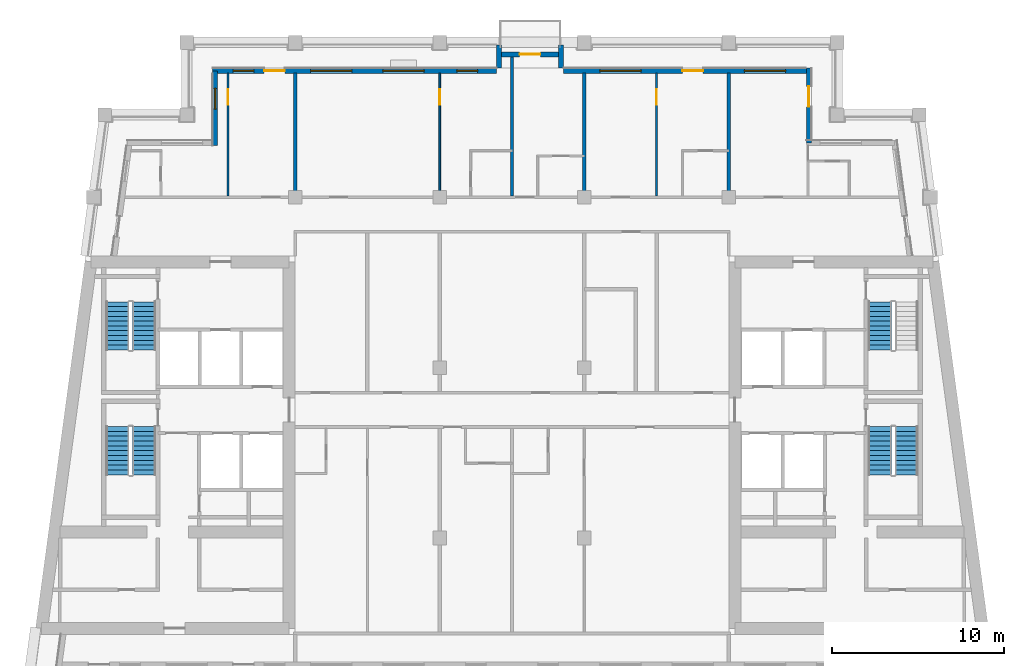
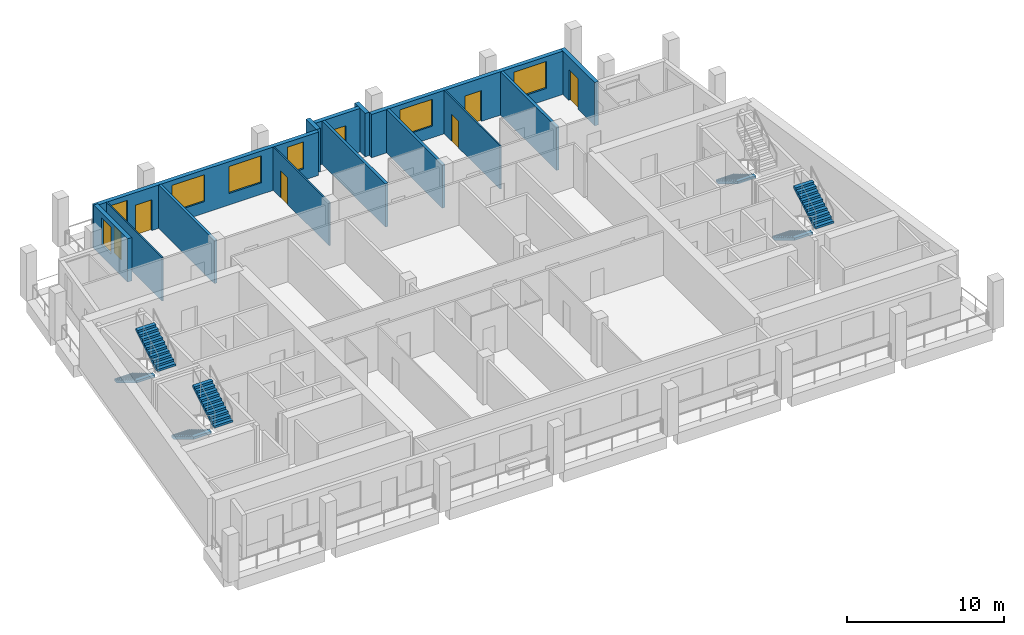
# One storey, part 6 of 13: 14 walls, 7 doors, 7 stair flights, 7 windows, 14 openings, 4 elements without a shape of their own.
"""IFC4 building model written with IfcOpenShell, lengths in metres."""

from ifc_helpers import new_model, si_unit, direction, frame, frame_2d, origin, place, context, subcontext, project, spatial, polyline, rectangle, outline, extrude, material, layer, layer_set, type_object, element, fill, aggregate, save


model = new_model("IFC4")

# Units and contexts
model_context = context("Model", 3, precision=1e-05, world=origin(), true_north=direction((0.0, 1.0)))
body_context = subcontext(model_context, "Body", "Model", "MODEL_VIEW")
ifc_project = project(units=[si_unit("LENGTHUNIT", "METRE"), si_unit("AREAUNIT", "SQUARE_METRE"), si_unit("VOLUMEUNIT", "CUBIC_METRE"), si_unit("PLANEANGLEUNIT", "RADIAN"), si_unit("MASSUNIT", "GRAM", prefix="KILO")], contexts=[model_context])

# Site, building, storey
site_placement = place(None, origin())
site = spatial("IfcSite", under=ifc_project, at=site_placement, CompositionType="ELEMENT")
building_placement = place(site_placement, origin())
building = spatial("IfcBuilding", under=site, at=building_placement, Name="Candeia Pilgrim Tower and Theatre", CompositionType="ELEMENT")
storey_placement = place(building_placement, frame((0.0, 0.0, 262.699951171875)))
storey = spatial("IfcBuildingStorey", under=building, at=storey_placement, Name="L63", CompositionType="ELEMENT", Elevation=262.699951171875)

# Wall, opening, door
ifc_material_1 = material(Name="Ceramic block masonry", Category="masonry")
ifc_layer_1 = layer(ifc_material_1, 0.300048828125)
ifc_layer_set_1 = layer_set([ifc_layer_1], Name="EW1 glazing-line wall 300")
wall_type_1 = type_object("IfcWallType", Name="EW1 glazing-line wall 300", PredefinedType="SOLIDWALL", material=ifc_layer_set_1)
wall_1_placement = place(storey_placement, frame((130.64990234375, 138.949951171875, 0.0), z_axis=(0.0, 0.0, 1.0), x_axis=(0.0, 1.0, 0.0)))
wall_1 = element("IfcWall", 1, at=wall_1_placement, inside=storey, type_object=wall_type_1, Name="External wall L63-4.0", PredefinedType="SOLIDWALL", context=body_context, shape_type="SweptSolid", body=[
    extrude(rectangle(XDim=4.35009765625, YDim=0.300048828125, at=frame_2d((2.175048828125, 0.0))), origin(), (0.0, 0.0, 1.0), 3.380126953125),
])
opening_1_placement = place(wall_1_placement, frame((2.10009765625, 0.0, 0.0)))
opening_1 = element("IfcOpeningElement", 2, at=opening_1_placement, cuts=wall_1, Name="Opening L63-ED600", PredefinedType="OPENING", context=body_context, shape_type="SweptSolid", body=[
    extrude(rectangle(XDim=1.199951171875, YDim=2.39990234375, at=frame_2d((0.60009765625, 1.199951171875))), frame((0.0, 0.16015625, 0.0), z_axis=(0.0, -1.0, 0.0), x_axis=(1.0, 0.0, 0.0)), (0.0, 0.0, 1.0), 0.320068359375),
])
ifc_material_2 = material(Name="Aluminium framed glazed door", Category="aluminium")
door_type_1 = type_object("IfcDoorType", Name="Loggia door 1200x2400", OperationType="DOUBLE_DOOR_SINGLE_SWING", PredefinedType="DOOR", material=ifc_material_2)
door_1_placement = place(opening_1_placement, origin())
door_1 = element("IfcDoor", 3, at=door_1_placement, inside=storey, type_object=door_type_1, Name="Loggia door L63-ED600", OperationType="DOUBLE_DOOR_SINGLE_SWING", OverallHeight=2.39990234375, OverallWidth=1.199951171875, PredefinedType="DOOR", context=body_context, shape_type="SweptSolid", body=[
    extrude(rectangle(XDim=1.199951171875, YDim=2.39990234375, at=frame_2d((0.60009765625, 1.199951171875))), frame((0.0, 0.02490234375, 0.0), z_axis=(0.0, -1.0, 0.0), x_axis=(1.0, 0.0, 0.0)), (0.0, 0.0, 1.0), 0.050048828125),
])
fill(opening_1, door_1)

# Wall, openings, door, windows
wall_2_placement = place(storey_placement, frame((130.64990234375, 143.14990234375, 0.0), z_axis=(0.0, 0.0, 1.0), x_axis=(-1.0, 0.0, 0.0)))
wall_2 = element("IfcWall", 4, at=wall_2_placement, inside=storey, type_object=wall_type_1, Name="External wall L63-5.0", PredefinedType="SOLIDWALL", context=body_context, shape_type="SweptSolid", body=[
    extrude(rectangle(XDim=14.25, YDim=0.300048828125, at=frame_2d((7.125, 0.0))), origin(), (0.0, 0.0, 1.0), 3.380126953125),
])
opening_2_placement = place(wall_2_placement, frame((1.35009765625, 0.0, 0.89990234375)))
opening_2 = element("IfcOpeningElement", 5, at=opening_2_placement, cuts=wall_2, Name="Opening W-A", PredefinedType="OPENING", context=body_context, shape_type="SweptSolid", body=[
    extrude(rectangle(XDim=2.39990234375, YDim=2.10009765625, at=frame_2d((1.199951171875, 1.050048828125))), frame((0.0, 0.16015625, 0.0), z_axis=(0.0, -1.0, 0.0), x_axis=(1.0, 0.0, 0.0)), (0.0, 0.0, 1.0), 0.320068359375),
])
opening_3_placement = place(wall_2_placement, frame((6.14990234375, 0.0, 0.0)))
opening_3 = element("IfcOpeningElement", 6, at=opening_3_placement, cuts=wall_2, Name="Opening L63-ED601", PredefinedType="OPENING", context=body_context, shape_type="SweptSolid", body=[
    extrude(rectangle(XDim=1.199951171875, YDim=2.39990234375, at=frame_2d((0.60009765625, 1.199951171875))), frame((0.0, 0.16015625, 0.0), z_axis=(0.0, -1.0, 0.0), x_axis=(1.0, 0.0, 0.0)), (0.0, 0.0, 1.0), 0.320068359375),
])
opening_4_placement = place(wall_2_placement, frame((9.75, 0.0, 0.89990234375)))
opening_4 = element("IfcOpeningElement", 7, at=opening_4_placement, cuts=wall_2, Name="Opening W-A", PredefinedType="OPENING", context=body_context, shape_type="SweptSolid", body=[
    extrude(rectangle(XDim=2.39990234375, YDim=2.10009765625, at=frame_2d((1.199951171875, 1.050048828125))), frame((0.0, 0.16015625, 0.0), z_axis=(0.0, -1.0, 0.0), x_axis=(1.0, 0.0, 0.0)), (0.0, 0.0, 1.0), 0.320068359375),
])
door_2_placement = place(opening_3_placement, origin())
door_2 = element("IfcDoor", 8, at=door_2_placement, inside=storey, type_object=door_type_1, Name="Loggia door L63-ED601", OperationType="DOUBLE_DOOR_SINGLE_SWING", OverallHeight=2.39990234375, OverallWidth=1.199951171875, PredefinedType="DOOR", context=body_context, shape_type="SweptSolid", body=[
    extrude(rectangle(XDim=1.199951171875, YDim=2.39990234375, at=frame_2d((0.60009765625, 1.199951171875))), frame((0.0, 0.02490234375, 0.0), z_axis=(0.0, -1.0, 0.0), x_axis=(1.0, 0.0, 0.0)), (0.0, 0.0, 1.0), 0.050048828125),
])
fill(opening_3, door_2)
ifc_material_3 = material(Name="Aluminium framed double glazing", Category="aluminium")
window_type_1 = type_object("IfcWindowType", Name="W-A window 2400x2100", PartitioningType="DOUBLE_PANEL_VERTICAL", PredefinedType="WINDOW", material=ifc_material_3)
window_1_placement = place(opening_2_placement, origin())
window_1 = element("IfcWindow", 9, at=window_1_placement, inside=storey, type_object=window_type_1, Name="Window W-A L63", OverallHeight=2.10009765625, OverallWidth=2.39990234375, PartitioningType="SINGLE_PANEL", PredefinedType="WINDOW", context=body_context, shape_type="SweptSolid", body=[
    extrude(rectangle(XDim=2.39990234375, YDim=2.10009765625, at=frame_2d((1.199951171875, 1.050048828125))), frame((0.0, 0.030029296875, 0.0), z_axis=(0.0, -1.0, 0.0), x_axis=(1.0, 0.0, 0.0)), (0.0, 0.0, 1.0), 0.06005859375),
])
fill(opening_2, window_1)
window_2_placement = place(opening_4_placement, origin())
window_2 = element("IfcWindow", 10, at=window_2_placement, inside=storey, type_object=window_type_1, Name="Window W-A L63", OverallHeight=2.10009765625, OverallWidth=2.39990234375, PartitioningType="SINGLE_PANEL", PredefinedType="WINDOW", context=body_context, shape_type="SweptSolid", body=[
    extrude(rectangle(XDim=2.39990234375, YDim=2.10009765625, at=frame_2d((1.199951171875, 1.050048828125))), frame((0.0, 0.030029296875, 0.0), z_axis=(0.0, -1.0, 0.0), x_axis=(1.0, 0.0, 0.0)), (0.0, 0.0, 1.0), 0.06005859375),
])
fill(opening_4, window_2)

wall_3_placement = place(storey_placement, frame((112.5, 143.14990234375, 0.0), z_axis=(0.0, 0.0, 1.0), x_axis=(-1.0, 0.0, 0.0)))
wall_3 = element("IfcWall", 11, at=wall_3_placement, inside=storey, type_object=wall_type_1, Name="External wall L63-5.1", PredefinedType="SOLIDWALL", context=body_context, shape_type="SweptSolid", body=[
    extrude(rectangle(XDim=16.5, YDim=0.300048828125, at=frame_2d((8.25, 0.0))), origin(), (0.0, 0.0, 1.0), 3.380126953125),
])
opening_5_placement = place(wall_3_placement, frame((1.10009765625, 0.0, 0.89990234375)))
opening_5 = element("IfcOpeningElement", 12, at=opening_5_placement, cuts=wall_3, Name="Opening W-B", PredefinedType="OPENING", context=body_context, shape_type="SweptSolid", body=[
    extrude(rectangle(XDim=1.199951171875, YDim=2.10009765625, at=frame_2d((0.60009765625, 1.050048828125))), frame((0.0, 0.16015625, 0.0), z_axis=(0.0, -1.0, 0.0), x_axis=(1.0, 0.0, 0.0)), (0.0, 0.0, 1.0), 0.320068359375),
])
opening_6_placement = place(wall_3_placement, frame((4.199951171875, 0.0, 0.89990234375)))
opening_6 = element("IfcOpeningElement", 13, at=opening_6_placement, cuts=wall_3, Name="Opening W-A", PredefinedType="OPENING", context=body_context, shape_type="SweptSolid", body=[
    extrude(rectangle(XDim=2.39990234375, YDim=2.10009765625, at=frame_2d((1.199951171875, 1.050048828125))), frame((0.0, 0.16015625, 0.0), z_axis=(0.0, -1.0, 0.0), x_axis=(1.0, 0.0, 0.0)), (0.0, 0.0, 1.0), 0.320068359375),
])
opening_7_placement = place(wall_3_placement, frame((8.39990234375, 0.0, 0.89990234375)))
opening_7 = element("IfcOpeningElement", 14, at=opening_7_placement, cuts=wall_3, Name="Opening W-A", PredefinedType="OPENING", context=body_context, shape_type="SweptSolid", body=[
    extrude(rectangle(XDim=2.39990234375, YDim=2.10009765625, at=frame_2d((1.199951171875, 1.050048828125))), frame((0.0, 0.16015625, 0.0), z_axis=(0.0, -1.0, 0.0), x_axis=(1.0, 0.0, 0.0)), (0.0, 0.0, 1.0), 0.320068359375),
])
opening_8_placement = place(wall_3_placement, frame((12.300048828125, 0.0, 0.0)))
opening_8 = element("IfcOpeningElement", 15, at=opening_8_placement, cuts=wall_3, Name="Opening L63-ED602", PredefinedType="OPENING", context=body_context, shape_type="SweptSolid", body=[
    extrude(rectangle(XDim=1.199951171875, YDim=2.39990234375, at=frame_2d((0.60009765625, 1.199951171875))), frame((0.0, 0.16015625, 0.0), z_axis=(0.0, -1.0, 0.0), x_axis=(1.0, 0.0, 0.0)), (0.0, 0.0, 1.0), 0.320068359375),
])
opening_9_placement = place(wall_3_placement, frame((14.10009765625, 0.0, 0.89990234375)))
opening_9 = element("IfcOpeningElement", 16, at=opening_9_placement, cuts=wall_3, Name="Opening W-B", PredefinedType="OPENING", context=body_context, shape_type="SweptSolid", body=[
    extrude(rectangle(XDim=1.199951171875, YDim=2.10009765625, at=frame_2d((0.60009765625, 1.050048828125))), frame((0.0, 0.16015625, 0.0), z_axis=(0.0, -1.0, 0.0), x_axis=(1.0, 0.0, 0.0)), (0.0, 0.0, 1.0), 0.320068359375),
])
door_3_placement = place(opening_8_placement, origin())
door_3 = element("IfcDoor", 17, at=door_3_placement, inside=storey, type_object=door_type_1, Name="Loggia door L63-ED602", OperationType="DOUBLE_DOOR_SINGLE_SWING", OverallHeight=2.39990234375, OverallWidth=1.199951171875, PredefinedType="DOOR", context=body_context, shape_type="SweptSolid", body=[
    extrude(rectangle(XDim=1.199951171875, YDim=2.39990234375, at=frame_2d((0.60009765625, 1.199951171875))), frame((0.0, 0.02490234375, 0.0), z_axis=(0.0, -1.0, 0.0), x_axis=(1.0, 0.0, 0.0)), (0.0, 0.0, 1.0), 0.050048828125),
])
fill(opening_8, door_3)
window_3_placement = place(opening_6_placement, origin())
window_3 = element("IfcWindow", 18, at=window_3_placement, inside=storey, type_object=window_type_1, Name="Window W-A L63", OverallHeight=2.10009765625, OverallWidth=2.39990234375, PartitioningType="SINGLE_PANEL", PredefinedType="WINDOW", context=body_context, shape_type="SweptSolid", body=[
    extrude(rectangle(XDim=2.39990234375, YDim=2.10009765625, at=frame_2d((1.199951171875, 1.050048828125))), frame((0.0, 0.030029296875, 0.0), z_axis=(0.0, -1.0, 0.0), x_axis=(1.0, 0.0, 0.0)), (0.0, 0.0, 1.0), 0.06005859375),
])
fill(opening_6, window_3)
window_4_placement = place(opening_7_placement, origin())
window_4 = element("IfcWindow", 19, at=window_4_placement, inside=storey, type_object=window_type_1, Name="Window W-A L63", OverallHeight=2.10009765625, OverallWidth=2.39990234375, PartitioningType="SINGLE_PANEL", PredefinedType="WINDOW", context=body_context, shape_type="SweptSolid", body=[
    extrude(rectangle(XDim=2.39990234375, YDim=2.10009765625, at=frame_2d((1.199951171875, 1.050048828125))), frame((0.0, 0.030029296875, 0.0), z_axis=(0.0, -1.0, 0.0), x_axis=(1.0, 0.0, 0.0)), (0.0, 0.0, 1.0), 0.06005859375),
])
fill(opening_7, window_4)
window_type_2 = type_object("IfcWindowType", Name="W-B window 1200x2100", PartitioningType="SINGLE_PANEL", PredefinedType="WINDOW", material=ifc_material_3)
window_5_placement = place(opening_5_placement, origin())
window_5 = element("IfcWindow", 20, at=window_5_placement, inside=storey, type_object=window_type_2, Name="Window W-B L63", OverallHeight=2.10009765625, OverallWidth=1.199951171875, PartitioningType="SINGLE_PANEL", PredefinedType="WINDOW", context=body_context, shape_type="SweptSolid", body=[
    extrude(rectangle(XDim=1.199951171875, YDim=2.10009765625, at=frame_2d((0.60009765625, 1.050048828125))), frame((0.0, 0.030029296875, 0.0), z_axis=(0.0, -1.0, 0.0), x_axis=(1.0, 0.0, 0.0)), (0.0, 0.0, 1.0), 0.06005859375),
])
fill(opening_5, window_5)
window_6_placement = place(opening_9_placement, origin())
window_6 = element("IfcWindow", 21, at=window_6_placement, inside=storey, type_object=window_type_2, Name="Window W-B L63", OverallHeight=2.10009765625, OverallWidth=1.199951171875, PartitioningType="SINGLE_PANEL", PredefinedType="WINDOW", context=body_context, shape_type="SweptSolid", body=[
    extrude(rectangle(XDim=1.199951171875, YDim=2.10009765625, at=frame_2d((0.60009765625, 1.050048828125))), frame((0.0, 0.030029296875, 0.0), z_axis=(0.0, -1.0, 0.0), x_axis=(1.0, 0.0, 0.0)), (0.0, 0.0, 1.0), 0.06005859375),
])
fill(opening_9, window_6)

# Wall, opening, window
wall_4_placement = place(storey_placement, frame((96.14990234375, 143.14990234375, 0.0), z_axis=(0.0, 0.0, 1.0), x_axis=(0.0, -1.0, 0.0)))
wall_4 = element("IfcWall", 22, at=wall_4_placement, inside=storey, type_object=wall_type_1, Name="External wall L63-6.0", PredefinedType="SOLIDWALL", context=body_context, shape_type="SweptSolid", body=[
    extrude(rectangle(XDim=4.349853515625, YDim=0.300048828125, at=frame_2d((2.1748046875, 0.0))), origin(), (0.0, 0.0, 1.0), 3.380126953125),
])
opening_10_placement = place(wall_4_placement, frame((1.02490234375, 0.0, 0.89990234375)))
opening_10 = element("IfcOpeningElement", 23, at=opening_10_placement, cuts=wall_4, Name="Opening W-B", PredefinedType="OPENING", context=body_context, shape_type="SweptSolid", body=[
    extrude(rectangle(XDim=1.199951171875, YDim=2.10009765625, at=frame_2d((0.60009765625, 1.050048828125))), frame((0.0, 0.16015625, 0.0), z_axis=(0.0, -1.0, 0.0), x_axis=(1.0, 0.0, 0.0)), (0.0, 0.0, 1.0), 0.320068359375),
])
window_7_placement = place(opening_10_placement, origin())
window_7 = element("IfcWindow", 24, at=window_7_placement, inside=storey, type_object=window_type_2, Name="Window W-B L63", OverallHeight=2.10009765625, OverallWidth=1.199951171875, PartitioningType="SINGLE_PANEL", PredefinedType="WINDOW", context=body_context, shape_type="SweptSolid", body=[
    extrude(rectangle(XDim=1.199951171875, YDim=2.10009765625, at=frame_2d((0.60009765625, 1.050048828125))), frame((0.0, 0.030029296875, 0.0), z_axis=(0.0, -1.0, 0.0), x_axis=(1.0, 0.0, 0.0)), (0.0, 0.0, 1.0), 0.06005859375),
])
fill(opening_10, window_7)

# Walls
ifc_layer_2 = layer(ifc_material_1, 0.300048828125)
ifc_layer_set_2 = layer_set([ifc_layer_2], Name="EW2 entrance infill wall 300")
wall_type_2 = type_object("IfcWallType", Name="EW2 entrance infill wall 300", PredefinedType="SOLIDWALL", material=ifc_layer_set_2)
for number, where, z_axis, x_axis, name in (
    (25, (116.25, 143.300048828125, 0.0), (0.0, 0.0, 1.0), (0.0, 1.0, 0.0), "Alcove wall L63"),
    (26, (112.64990234375, 143.300048828125, 0.0), (0.0, 0.0, 1.0), (0.0, 1.0, 0.0), "Alcove wall L63"),
):
    element("IfcWall", number, at=place(storey_placement, frame(where, z_axis=z_axis, x_axis=x_axis)), inside=storey, type_object=wall_type_2, Name=name, PredefinedType="SOLIDWALL", context=body_context, shape_type="SweptSolid", body=[
        extrude(rectangle(XDim=1.349853515625, YDim=0.300048828125, at=frame_2d((0.6748046875, 0.0))), origin(), (0.0, 0.0, 1.0), 3.380126953125),
    ])

# Wall, opening, door
wall_5_placement = place(storey_placement, frame((116.39990234375, 144.10009765625, 0.0), z_axis=(0.0, 0.0, 1.0), x_axis=(-1.0, 0.0, 0.0)))
wall_5 = element("IfcWall", 27, at=wall_5_placement, inside=storey, type_object=wall_type_2, Name="Alcove wall L63", PredefinedType="SOLIDWALL", context=body_context, shape_type="SweptSolid", body=[
    extrude(rectangle(XDim=3.89990234375, YDim=0.300048828125, at=frame_2d((1.949951171875, 0.0))), origin(), (0.0, 0.0, 1.0), 3.380126953125),
])
opening_11_placement = place(wall_5_placement, frame((1.35009765625, 0.0, 0.0)))
opening_11 = element("IfcOpeningElement", 28, at=opening_11_placement, cuts=wall_5, Name="Opening L63-ED603", PredefinedType="OPENING", context=body_context, shape_type="SweptSolid", body=[
    extrude(rectangle(XDim=1.199951171875, YDim=2.39990234375, at=frame_2d((0.60009765625, 1.199951171875))), frame((0.0, 0.16015625, 0.0), z_axis=(0.0, -1.0, 0.0), x_axis=(1.0, 0.0, 0.0)), (0.0, 0.0, 1.0), 0.320068359375),
])
door_4_placement = place(opening_11_placement, origin())
door_4 = element("IfcDoor", 29, at=door_4_placement, inside=storey, type_object=door_type_1, Name="Balcony door L63-ED603", OperationType="DOUBLE_DOOR_SINGLE_SWING", OverallHeight=2.39990234375, OverallWidth=1.199951171875, PredefinedType="DOOR", context=body_context, shape_type="SweptSolid", body=[
    extrude(rectangle(XDim=1.199951171875, YDim=2.39990234375, at=frame_2d((0.60009765625, 1.199951171875))), frame((0.0, 0.02490234375, 0.0), z_axis=(0.0, -1.0, 0.0), x_axis=(1.0, 0.0, 0.0)), (0.0, 0.0, 1.0), 0.050048828125),
])
fill(opening_11, door_4)

ifc_material_4 = material(Name="Gypsum board partition on steel studs", Category="steel")
ifc_layer_3 = layer(ifc_material_4, 0.10009765625)
ifc_layer_set_3 = layer_set([ifc_layer_3], Name="PW-100 room partition")
wall_type_3 = type_object("IfcWallType", Name="PW-100 room partition", PredefinedType="PARTITIONING", material=ifc_layer_set_3)
wall_6_placement = place(storey_placement, frame((96.89990234375, 135.875, 0.0), z_axis=(0.0, 0.0, 1.0), x_axis=(0.0, 1.0, 0.0)))
wall_6 = element("IfcWall", 30, at=wall_6_placement, inside=storey, type_object=wall_type_3, Name="Room partition L63-055", PredefinedType="PARTITIONING", context=body_context, shape_type="SweptSolid", body=[
    extrude(rectangle(XDim=7.135009765625, YDim=0.10009765625, at=frame_2d((3.5673828125, 0.0))), origin(), (0.0, 0.0, 1.0), 3.380126953125),
])
opening_12_placement = place(wall_6_placement, frame((5.2900390625, 0.0, 0.0)))
opening_12 = element("IfcOpeningElement", 31, at=opening_12_placement, cuts=wall_6, Name="Opening L63-D022", PredefinedType="OPENING", context=body_context, shape_type="SweptSolid", body=[
    extrude(rectangle(XDim=0.89990234375, YDim=2.10009765625, at=frame_2d((0.449951171875, 1.050048828125))), frame((0.0, 0.06005859375, 0.0), z_axis=(0.0, -1.0, 0.0), x_axis=(1.0, 0.0, 0.0)), (0.0, 0.0, 1.0), 0.1201171875),
])
ifc_material_5 = material(Name="Timber door leaf", Category="wood")
door_type_2 = type_object("IfcDoorType", Name="D-900", OperationType="NOTDEFINED", PredefinedType="DOOR", material=ifc_material_5)
door_5_placement = place(opening_12_placement, origin())
door_5 = element("IfcDoor", 32, at=door_5_placement, inside=storey, type_object=door_type_2, Name="Door L63-D022", OperationType="SINGLE_SWING_LEFT", OverallHeight=2.10009765625, OverallWidth=0.89990234375, PredefinedType="DOOR", context=body_context, shape_type="SweptSolid", body=[
    extrude(rectangle(XDim=0.89990234375, YDim=2.10009765625, at=frame_2d((0.449951171875, 1.050048828125))), frame((0.0, 0.02490234375, 0.0), z_axis=(0.0, -1.0, 0.0), x_axis=(1.0, 0.0, 0.0)), (0.0, 0.0, 1.0), 0.050048828125),
])
fill(opening_12, door_5)

wall_7_placement = place(storey_placement, frame((109.199951171875, 135.875, 0.0), z_axis=(0.0, 0.0, 1.0), x_axis=(0.0, 1.0, 0.0)))
wall_7 = element("IfcWall", 33, at=wall_7_placement, inside=storey, type_object=wall_type_3, Name="Room partition L63-065", PredefinedType="PARTITIONING", context=body_context, shape_type="SweptSolid", body=[
    extrude(rectangle(XDim=7.135009765625, YDim=0.10009765625, at=frame_2d((3.5673828125, 0.0))), origin(), (0.0, 0.0, 1.0), 3.380126953125),
])
opening_13_placement = place(wall_7_placement, frame((5.2900390625, 0.0, 0.0)))
opening_13 = element("IfcOpeningElement", 34, at=opening_13_placement, cuts=wall_7, Name="Opening L63-D025", PredefinedType="OPENING", context=body_context, shape_type="SweptSolid", body=[
    extrude(rectangle(XDim=0.89990234375, YDim=2.10009765625, at=frame_2d((0.449951171875, 1.050048828125))), frame((0.0, 0.06005859375, 0.0), z_axis=(0.0, -1.0, 0.0), x_axis=(1.0, 0.0, 0.0)), (0.0, 0.0, 1.0), 0.1201171875),
])
door_6_placement = place(opening_13_placement, origin())
door_6 = element("IfcDoor", 35, at=door_6_placement, inside=storey, type_object=door_type_2, Name="Door L63-D025", OperationType="SINGLE_SWING_RIGHT", OverallHeight=2.10009765625, OverallWidth=0.89990234375, PredefinedType="DOOR", context=body_context, shape_type="SweptSolid", body=[
    extrude(rectangle(XDim=0.89990234375, YDim=2.10009765625, at=frame_2d((0.449951171875, 1.050048828125))), frame((0.0, 0.02490234375, 0.0), z_axis=(0.0, -1.0, 0.0), x_axis=(1.0, 0.0, 0.0)), (0.0, 0.0, 1.0), 0.050048828125),
])
fill(opening_13, door_6)

wall_8_placement = place(storey_placement, frame((121.800048828125, 135.875, 0.0), z_axis=(0.0, 0.0, 1.0), x_axis=(0.0, 1.0, 0.0)))
wall_8 = element("IfcWall", 36, at=wall_8_placement, inside=storey, type_object=wall_type_3, Name="Room partition L63-078", PredefinedType="PARTITIONING", context=body_context, shape_type="SweptSolid", body=[
    extrude(rectangle(XDim=7.135009765625, YDim=0.10009765625, at=frame_2d((3.5673828125, 0.0))), origin(), (0.0, 0.0, 1.0), 3.380126953125),
])
opening_14_placement = place(wall_8_placement, frame((5.2900390625, 0.0, 0.0)))
opening_14 = element("IfcOpeningElement", 37, at=opening_14_placement, cuts=wall_8, Name="Opening L63-D030", PredefinedType="OPENING", context=body_context, shape_type="SweptSolid", body=[
    extrude(rectangle(XDim=0.89990234375, YDim=2.10009765625, at=frame_2d((0.449951171875, 1.050048828125))), frame((0.0, 0.06005859375, 0.0), z_axis=(0.0, -1.0, 0.0), x_axis=(1.0, 0.0, 0.0)), (0.0, 0.0, 1.0), 0.1201171875),
])
door_7_placement = place(opening_14_placement, origin())
door_7 = element("IfcDoor", 38, at=door_7_placement, inside=storey, type_object=door_type_2, Name="Door L63-D030", OperationType="SINGLE_SWING_LEFT", OverallHeight=2.10009765625, OverallWidth=0.89990234375, PredefinedType="DOOR", context=body_context, shape_type="SweptSolid", body=[
    extrude(rectangle(XDim=0.89990234375, YDim=2.10009765625, at=frame_2d((0.449951171875, 1.050048828125))), frame((0.0, 0.02490234375, 0.0), z_axis=(0.0, -1.0, 0.0), x_axis=(1.0, 0.0, 0.0)), (0.0, 0.0, 1.0), 0.050048828125),
])
fill(opening_14, door_7)

# Walls
ifc_layer_4 = layer(ifc_material_4, 0.199951171875)
ifc_layer_set_4 = layer_set([ifc_layer_4], Name="PW-200 party wall")
wall_type_4 = type_object("IfcWallType", Name="PW-200 party wall", PredefinedType="PARTITIONING", material=ifc_layer_set_4)
wall_9_placement = place(storey_placement, frame((100.800048828125, 135.875, 0.0), z_axis=(0.0, 0.0, 1.0), x_axis=(0.0, 1.0, 0.0)))
element("IfcWall", 39, at=wall_9_placement, inside=storey, type_object=wall_type_4, Name="Party wall L63-060", PredefinedType="PARTITIONING", context=body_context, shape_type="SweptSolid", body=[
    extrude(rectangle(XDim=7.135009765625, YDim=0.199951171875, at=frame_2d((3.5673828125, 0.0))), origin(), (0.0, 0.0, 1.0), 3.380126953125),
])
wall_10_placement = place(storey_placement, frame((113.39990234375, 135.875, 0.0), z_axis=(0.0, 0.0, 1.0), x_axis=(0.0, 1.0, 0.0)))
element("IfcWall", 40, at=wall_10_placement, inside=storey, type_object=wall_type_4, Name="Party wall L63-071", PredefinedType="PARTITIONING", context=body_context, shape_type="SweptSolid", body=[
    extrude(rectangle(XDim=8.0849609375, YDim=0.199951171875, at=frame_2d((4.04248046875, 0.0))), origin(), (0.0, 0.0, 1.0), 3.380126953125),
])
for number, where, z_axis, x_axis, name in (
    (41, (117.60009765625, 135.875, 0.0), (0.0, 0.0, 1.0), (0.0, 1.0, 0.0), "Party wall L63-076"),
    (42, (126.0, 135.875, 0.0), (0.0, 0.0, 1.0), (0.0, 1.0, 0.0), "Party wall L63-082"),
):
    element("IfcWall", number, at=place(storey_placement, frame(where, z_axis=z_axis, x_axis=x_axis)), inside=storey, type_object=wall_type_4, Name=name, PredefinedType="PARTITIONING", context=body_context, shape_type="SweptSolid", body=[
        extrude(rectangle(XDim=7.135009765625, YDim=0.199951171875, at=frame_2d((3.5673828125, 0.0))), origin(), (0.0, 0.0, 1.0), 3.380126953125),
    ])

# Stair, stair flights
ifc_material_6 = material(Name="Concrete C40/50", Category="concrete")
stair_type = type_object("IfcStairType", Name="ST-TWR dog-leg escape stair", PredefinedType="HALF_TURN_STAIR", material=ifc_material_6)
stair_1_placement = place(storey_placement, origin())
stair_1 = element("IfcStair", 43, at=stair_1_placement, inside=storey, type_object=stair_type, Name="L63 Escape stair ST1", PredefinedType="HALF_TURN_STAIR")
stair_flight_type = type_object("IfcStairFlightType", Name="SFL-RC stair flight", PredefinedType="STRAIGHT", material=ifc_material_6)
stair_flight_1_placement = place(storey_placement, frame((90.47705078125, 122.47509765625, 0.0), z_axis=(0.0, 0.0, 1.0), x_axis=(0.0, -1.0, 0.0)))
stair_flight_1 = element("IfcStairFlight", 44, at=stair_flight_1_placement, type_object=stair_flight_type, Name="ST1 flight 1", NumberOfRisers=11, NumberOfTreads=10, PredefinedType="STRAIGHT", RiserHeight=0.168181818, TreadLength=0.28, context=body_context, shape_type="SweptSolid", body=[
    extrude(outline(polyline([(0.0, 0.0), (0.0, 0.168212890625), (0.280029296875, 0.168212890625), (0.280029296875, 0.33642578125), (0.56005859375, 0.33642578125), (0.56005859375, 0.504638671875), (0.840087890625, 0.504638671875), (0.840087890625, 0.672607421875), (1.1201171875, 0.672607421875), (1.1201171875, 0.8408203125), (1.39990234375, 0.8408203125), (1.39990234375, 1.009033203125), (1.679931640625, 1.009033203125), (1.679931640625, 1.17724609375), (1.9599609375, 1.17724609375), (1.9599609375, 1.345458984375), (2.239990234375, 1.345458984375), (2.239990234375, 1.513671875), (2.52001953125, 1.513671875), (2.52001953125, 1.681884765625), (2.800048828125, 1.681884765625), (2.800048828125, 1.85009765625), (2.800048828125, 1.5068359375), (0.291015625, 0.0), (0.0, 0.0)])), frame((0.0, 0.675048828125, 0.0), z_axis=(0.0, -1.0, 0.0), x_axis=(1.0, 0.0, 0.0)), (0.0, 0.0, 1.0), 1.35009765625),
])
stair_flight_2_placement = place(storey_placement, frame((92.027099609375, 119.675048828125, 1.85009765625), z_axis=(0.0, 0.0, 1.0), x_axis=(0.0, 1.0, 0.0)))
stair_flight_2 = element("IfcStairFlight", 45, at=stair_flight_2_placement, type_object=stair_flight_type, Name="ST1 flight 2", NumberOfRisers=11, NumberOfTreads=10, PredefinedType="STRAIGHT", RiserHeight=0.168181818, TreadLength=0.28, context=body_context, shape_type="SweptSolid", body=[
    extrude(outline(polyline([(0.0, 0.0), (0.0, 0.168212890625), (0.280029296875, 0.168212890625), (0.280029296875, 0.33642578125), (0.56005859375, 0.33642578125), (0.56005859375, 0.504638671875), (0.840087890625, 0.504638671875), (0.840087890625, 0.672607421875), (1.1201171875, 0.672607421875), (1.1201171875, 0.8408203125), (1.39990234375, 0.8408203125), (1.39990234375, 1.009033203125), (1.679931640625, 1.009033203125), (1.679931640625, 1.17724609375), (1.9599609375, 1.17724609375), (1.9599609375, 1.345458984375), (2.239990234375, 1.345458984375), (2.239990234375, 1.513671875), (2.52001953125, 1.513671875), (2.52001953125, 1.681884765625), (2.800048828125, 1.681884765625), (2.800048828125, 1.85009765625), (2.800048828125, 1.5068359375), (0.291015625, 0.0), (0.0, 0.0)])), frame((0.0, 0.675048828125, 0.0), z_axis=(0.0, -1.0, 0.0), x_axis=(1.0, 0.0, 0.0)), (0.0, 0.0, 1.0), 1.35009765625),
])
aggregate(stair_1, [stair_flight_1, stair_flight_2])

stair_2_placement = place(storey_placement, origin())
stair_2 = element("IfcStair", 46, at=stair_2_placement, inside=storey, type_object=stair_type, Name="L63 Escape stair ST2", PredefinedType="HALF_TURN_STAIR")
stair_flight_3_placement = place(storey_placement, frame((90.47705078125, 129.72509765625, 0.0), z_axis=(0.0, 0.0, 1.0), x_axis=(0.0, -1.0, 0.0)))
stair_flight_3 = element("IfcStairFlight", 47, at=stair_flight_3_placement, type_object=stair_flight_type, Name="ST2 flight 1", NumberOfRisers=11, NumberOfTreads=10, PredefinedType="STRAIGHT", RiserHeight=0.168181818, TreadLength=0.28, context=body_context, shape_type="SweptSolid", body=[
    extrude(outline(polyline([(0.0, 0.0), (0.0, 0.168212890625), (0.280029296875, 0.168212890625), (0.280029296875, 0.33642578125), (0.56005859375, 0.33642578125), (0.56005859375, 0.504638671875), (0.840087890625, 0.504638671875), (0.840087890625, 0.672607421875), (1.1201171875, 0.672607421875), (1.1201171875, 0.8408203125), (1.39990234375, 0.8408203125), (1.39990234375, 1.009033203125), (1.679931640625, 1.009033203125), (1.679931640625, 1.17724609375), (1.9599609375, 1.17724609375), (1.9599609375, 1.345458984375), (2.239990234375, 1.345458984375), (2.239990234375, 1.513671875), (2.52001953125, 1.513671875), (2.52001953125, 1.681884765625), (2.800048828125, 1.681884765625), (2.800048828125, 1.85009765625), (2.800048828125, 1.5068359375), (0.291015625, 0.0), (0.0, 0.0)])), frame((0.0, 0.675048828125, 0.0), z_axis=(0.0, -1.0, 0.0), x_axis=(1.0, 0.0, 0.0)), (0.0, 0.0, 1.0), 1.35009765625),
])
stair_flight_4_placement = place(storey_placement, frame((92.027099609375, 126.925048828125, 1.85009765625), z_axis=(0.0, 0.0, 1.0), x_axis=(0.0, 1.0, 0.0)))
stair_flight_4 = element("IfcStairFlight", 48, at=stair_flight_4_placement, type_object=stair_flight_type, Name="ST2 flight 2", NumberOfRisers=11, NumberOfTreads=10, PredefinedType="STRAIGHT", RiserHeight=0.168181818, TreadLength=0.28, context=body_context, shape_type="SweptSolid", body=[
    extrude(outline(polyline([(0.0, 0.0), (0.0, 0.168212890625), (0.280029296875, 0.168212890625), (0.280029296875, 0.33642578125), (0.56005859375, 0.33642578125), (0.56005859375, 0.504638671875), (0.840087890625, 0.504638671875), (0.840087890625, 0.672607421875), (1.1201171875, 0.672607421875), (1.1201171875, 0.8408203125), (1.39990234375, 0.8408203125), (1.39990234375, 1.009033203125), (1.679931640625, 1.009033203125), (1.679931640625, 1.17724609375), (1.9599609375, 1.17724609375), (1.9599609375, 1.345458984375), (2.239990234375, 1.345458984375), (2.239990234375, 1.513671875), (2.52001953125, 1.513671875), (2.52001953125, 1.681884765625), (2.800048828125, 1.681884765625), (2.800048828125, 1.85009765625), (2.800048828125, 1.5068359375), (0.291015625, 0.0), (0.0, 0.0)])), frame((0.0, 0.675048828125, 0.0), z_axis=(0.0, -1.0, 0.0), x_axis=(1.0, 0.0, 0.0)), (0.0, 0.0, 1.0), 1.35009765625),
])
aggregate(stair_2, [stair_flight_3, stair_flight_4])

stair_3_placement = place(storey_placement, origin())
stair_3 = element("IfcStair", 49, at=stair_3_placement, inside=storey, type_object=stair_type, Name="L63 Escape stair ST3", PredefinedType="HALF_TURN_STAIR")
stair_flight_5_placement = place(storey_placement, frame((134.77294921875, 122.47509765625, 0.0), z_axis=(0.0, 0.0, 1.0), x_axis=(0.0, -1.0, 0.0)))
stair_flight_5 = element("IfcStairFlight", 50, at=stair_flight_5_placement, type_object=stair_flight_type, Name="ST3 flight 1", NumberOfRisers=11, NumberOfTreads=10, PredefinedType="STRAIGHT", RiserHeight=0.168181818, TreadLength=0.28, context=body_context, shape_type="SweptSolid", body=[
    extrude(outline(polyline([(0.0, 0.0), (0.0, 0.168212890625), (0.280029296875, 0.168212890625), (0.280029296875, 0.33642578125), (0.56005859375, 0.33642578125), (0.56005859375, 0.504638671875), (0.840087890625, 0.504638671875), (0.840087890625, 0.672607421875), (1.1201171875, 0.672607421875), (1.1201171875, 0.8408203125), (1.39990234375, 0.8408203125), (1.39990234375, 1.009033203125), (1.679931640625, 1.009033203125), (1.679931640625, 1.17724609375), (1.9599609375, 1.17724609375), (1.9599609375, 1.345458984375), (2.239990234375, 1.345458984375), (2.239990234375, 1.513671875), (2.52001953125, 1.513671875), (2.52001953125, 1.681884765625), (2.800048828125, 1.681884765625), (2.800048828125, 1.85009765625), (2.800048828125, 1.5068359375), (0.291015625, 0.0), (0.0, 0.0)])), frame((0.0, 0.675048828125, 0.0), z_axis=(0.0, -1.0, 0.0), x_axis=(1.0, 0.0, 0.0)), (0.0, 0.0, 1.0), 1.35009765625),
])
stair_flight_6_placement = place(storey_placement, frame((136.322998046875, 119.675048828125, 1.85009765625), z_axis=(0.0, 0.0, 1.0), x_axis=(0.0, 1.0, 0.0)))
stair_flight_6 = element("IfcStairFlight", 51, at=stair_flight_6_placement, type_object=stair_flight_type, Name="ST3 flight 2", NumberOfRisers=11, NumberOfTreads=10, PredefinedType="STRAIGHT", RiserHeight=0.168181818, TreadLength=0.28, context=body_context, shape_type="SweptSolid", body=[
    extrude(outline(polyline([(0.0, 0.0), (0.0, 0.168212890625), (0.280029296875, 0.168212890625), (0.280029296875, 0.33642578125), (0.56005859375, 0.33642578125), (0.56005859375, 0.504638671875), (0.840087890625, 0.504638671875), (0.840087890625, 0.672607421875), (1.1201171875, 0.672607421875), (1.1201171875, 0.8408203125), (1.39990234375, 0.8408203125), (1.39990234375, 1.009033203125), (1.679931640625, 1.009033203125), (1.679931640625, 1.17724609375), (1.9599609375, 1.17724609375), (1.9599609375, 1.345458984375), (2.239990234375, 1.345458984375), (2.239990234375, 1.513671875), (2.52001953125, 1.513671875), (2.52001953125, 1.681884765625), (2.800048828125, 1.681884765625), (2.800048828125, 1.85009765625), (2.800048828125, 1.5068359375), (0.291015625, 0.0), (0.0, 0.0)])), frame((0.0, 0.675048828125, 0.0), z_axis=(0.0, -1.0, 0.0), x_axis=(1.0, 0.0, 0.0)), (0.0, 0.0, 1.0), 1.35009765625),
])
aggregate(stair_3, [stair_flight_5, stair_flight_6])

# Stair, stair flight
stair_4_placement = place(storey_placement, origin())
stair_4 = element("IfcStair", 52, at=stair_4_placement, inside=storey, type_object=stair_type, Name="L63 Escape stair ST4", PredefinedType="HALF_TURN_STAIR")
stair_flight_7_placement = place(storey_placement, frame((134.77294921875, 129.72509765625, 0.0), z_axis=(0.0, 0.0, 1.0), x_axis=(0.0, -1.0, 0.0)))
stair_flight_7 = element("IfcStairFlight", 53, at=stair_flight_7_placement, type_object=stair_flight_type, Name="ST4 flight 1", NumberOfRisers=11, NumberOfTreads=10, PredefinedType="STRAIGHT", RiserHeight=0.168181818, TreadLength=0.28, context=body_context, shape_type="SweptSolid", body=[
    extrude(outline(polyline([(0.0, 0.0), (0.0, 0.168212890625), (0.280029296875, 0.168212890625), (0.280029296875, 0.33642578125), (0.56005859375, 0.33642578125), (0.56005859375, 0.504638671875), (0.840087890625, 0.504638671875), (0.840087890625, 0.672607421875), (1.1201171875, 0.672607421875), (1.1201171875, 0.8408203125), (1.39990234375, 0.8408203125), (1.39990234375, 1.009033203125), (1.679931640625, 1.009033203125), (1.679931640625, 1.17724609375), (1.9599609375, 1.17724609375), (1.9599609375, 1.345458984375), (2.239990234375, 1.345458984375), (2.239990234375, 1.513671875), (2.52001953125, 1.513671875), (2.52001953125, 1.681884765625), (2.800048828125, 1.681884765625), (2.800048828125, 1.85009765625), (2.800048828125, 1.5068359375), (0.291015625, 0.0), (0.0, 0.0)])), frame((0.0, 0.675048828125, 0.0), z_axis=(0.0, -1.0, 0.0), x_axis=(1.0, 0.0, 0.0)), (0.0, 0.0, 1.0), 1.35009765625),
])
aggregate(stair_4, [stair_flight_7])

save(model, "model.ifc")
